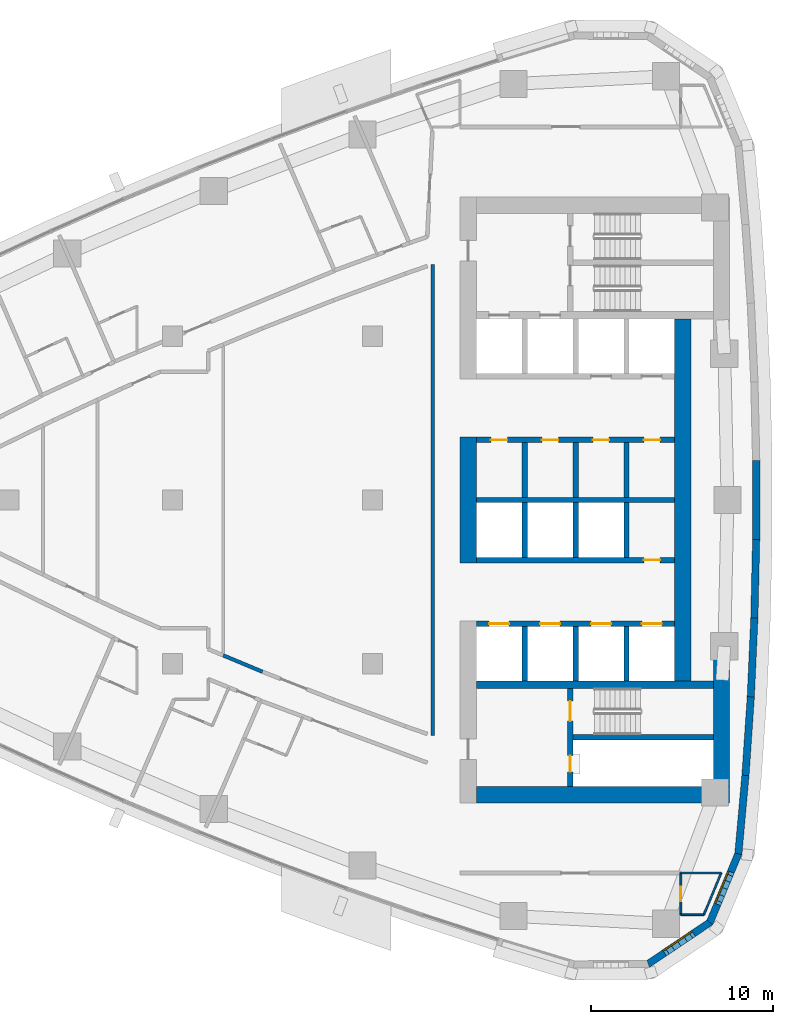
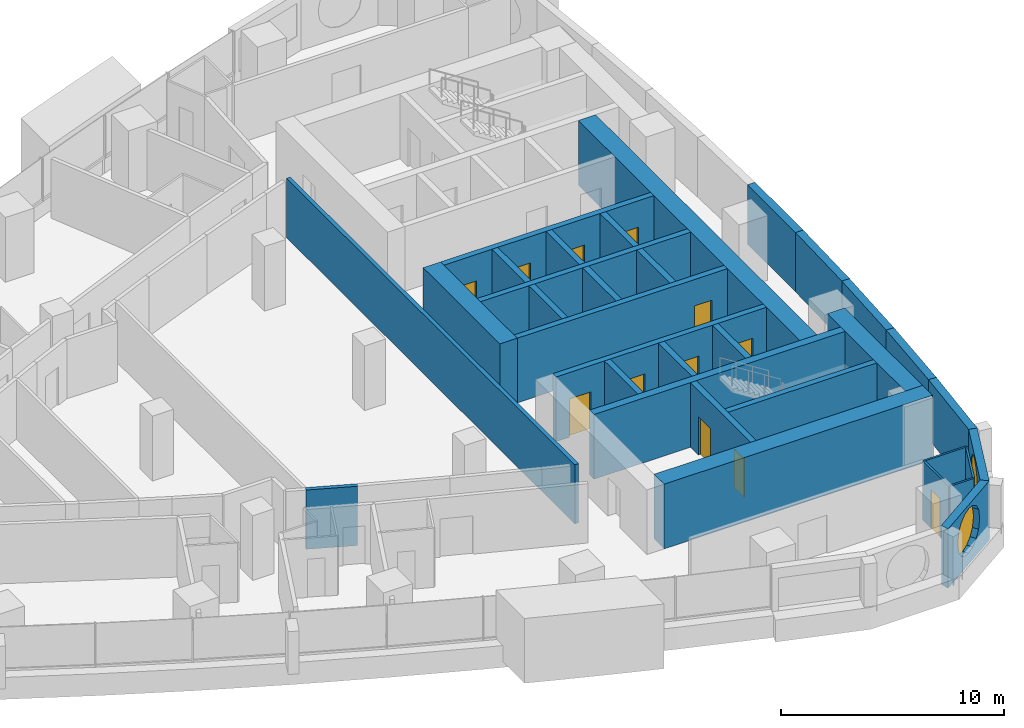
# One storey, part 10 of 16: 33 walls, 12 doors, 2 windows, 14 openings.
"""IFC4 building model written with IfcOpenShell, lengths in metres."""

from ifc_helpers import new_model, si_unit, direction, frame, frame_2d, origin, place, context, subcontext, project, spatial, polyline, rectangle, outline, extrude, material, layer, layer_set, type_object, element, fill, save


model = new_model("IFC4")

# Units and contexts
model_context = context("Model", 3, precision=1e-05, world=origin(), true_north=direction((0.0, 1.0)))
body_context = subcontext(model_context, "Body", "Model", "MODEL_VIEW")
ifc_project = project(units=[si_unit("LENGTHUNIT", "METRE"), si_unit("AREAUNIT", "SQUARE_METRE"), si_unit("VOLUMEUNIT", "CUBIC_METRE"), si_unit("PLANEANGLEUNIT", "RADIAN"), si_unit("MASSUNIT", "GRAM", prefix="KILO")], contexts=[model_context])

# Site, building, storey
site_placement = place(None, origin())
site = spatial("IfcSite", under=ifc_project, at=site_placement, CompositionType="ELEMENT")
building_placement = place(site_placement, origin())
building = spatial("IfcBuilding", under=site, at=building_placement, Name="Ostrand Prow Hotel Tower", CompositionType="ELEMENT")
storey_placement = place(building_placement, frame((0.0, 0.0, 147.949951171875)))
storey = spatial("IfcBuildingStorey", under=building, at=storey_placement, Name="L36", CompositionType="ELEMENT", Elevation=147.949951171875)

# Wall
ifc_material_1 = material(Name="Concrete C70/85", Category="concrete")
ifc_layer_1 = layer(ifc_material_1, 0.300048828125)
ifc_layer_set_1 = layer_set([ifc_layer_1], Name="Concrete C70/85")
wall_type_1 = type_object("IfcWallType", Name="Core wall 300 C70/85", PredefinedType="SHEAR", material=ifc_layer_set_1)
wall_1_placement = place(storey_placement, frame((50.699951171875, 0.0, 0.0), z_axis=(0.0, 0.0, 1.0), x_axis=(1.0, 0.0, 0.0)))
element("IfcWall", 1, at=wall_1_placement, inside=storey, type_object=wall_type_1, Name="Core wall PW-C", PredefinedType="SHEAR", context=body_context, shape_type="SweptSolid", body=[
    extrude(rectangle(XDim=10.900146484375, YDim=0.300048828125, at=frame_2d((5.4501953125, 0.0))), origin(), (0.0, 0.0, 1.0), 3.550048828125),
])

# Wall, openings, doors
wall_2_placement = place(storey_placement, frame((50.699951171875, 3.300048828125, 0.0), z_axis=(0.0, 0.0, 1.0), x_axis=(1.0, 0.0, 0.0)))
wall_2 = element("IfcWall", 2, at=wall_2_placement, inside=storey, type_object=wall_type_1, Name="Core wall PW-L1-N", PredefinedType="SHEAR", context=body_context, shape_type="SweptSolid", body=[
    extrude(rectangle(XDim=10.900146484375, YDim=0.300048828125, at=frame_2d((5.4501953125, 0.0))), origin(), (0.0, 0.0, 1.0), 3.550048828125),
])
opening_1_placement = place(wall_2_placement, frame((0.800048828125, 0.0, 0.0)))
opening_1 = element("IfcOpeningElement", 3, at=opening_1_placement, cuts=wall_2, Name="Opening FD2", PredefinedType="OPENING", context=body_context, shape_type="SweptSolid", body=[
    extrude(rectangle(XDim=0.89990234375, YDim=2.10009765625, at=frame_2d((0.449951171875, 1.050048828125))), frame((0.0, 0.159912109375, 0.0), z_axis=(0.0, -1.0, 0.0), x_axis=(1.0, 0.0, 0.0)), (0.0, 0.0, 1.0), 0.320068359375),
])
opening_2_placement = place(wall_2_placement, frame((3.60009765625, 0.0, 0.0)))
opening_2 = element("IfcOpeningElement", 4, at=opening_2_placement, cuts=wall_2, Name="Opening FD2", PredefinedType="OPENING", context=body_context, shape_type="SweptSolid", body=[
    extrude(rectangle(XDim=0.89990234375, YDim=2.10009765625, at=frame_2d((0.449951171875, 1.050048828125))), frame((0.0, 0.159912109375, 0.0), z_axis=(0.0, -1.0, 0.0), x_axis=(1.0, 0.0, 0.0)), (0.0, 0.0, 1.0), 0.320068359375),
])
opening_3_placement = place(wall_2_placement, frame((6.39990234375, 0.0, 0.0)))
opening_3 = element("IfcOpeningElement", 5, at=opening_3_placement, cuts=wall_2, Name="Opening FD2", PredefinedType="OPENING", context=body_context, shape_type="SweptSolid", body=[
    extrude(rectangle(XDim=0.89990234375, YDim=2.10009765625, at=frame_2d((0.449951171875, 1.050048828125))), frame((0.0, 0.159912109375, 0.0), z_axis=(0.0, -1.0, 0.0), x_axis=(1.0, 0.0, 0.0)), (0.0, 0.0, 1.0), 0.320068359375),
])
opening_4_placement = place(wall_2_placement, frame((9.199951171875, 0.0, 0.0)))
opening_4 = element("IfcOpeningElement", 6, at=opening_4_placement, cuts=wall_2, Name="Opening FD2", PredefinedType="OPENING", context=body_context, shape_type="SweptSolid", body=[
    extrude(rectangle(XDim=0.89990234375, YDim=2.10009765625, at=frame_2d((0.449951171875, 1.050048828125))), frame((0.0, 0.159912109375, 0.0), z_axis=(0.0, -1.0, 0.0), x_axis=(1.0, 0.0, 0.0)), (0.0, 0.0, 1.0), 0.320068359375),
])
ifc_material_2 = material(Name="Steel fire door", Category="steel")
door_type_1 = type_object("IfcDoorType", Name="Fire door 900 EI120", OperationType="SINGLE_SWING_LEFT", PredefinedType="DOOR", material=ifc_material_2)
door_1_placement = place(opening_1_placement, origin())
door_1 = element("IfcDoor", 7, at=door_1_placement, inside=storey, type_object=door_type_1, Name="DOOR", OperationType="SINGLE_SWING_LEFT", OverallHeight=2.10009765625, OverallWidth=0.89990234375, PredefinedType="DOOR", context=body_context, shape_type="SweptSolid", body=[
    extrude(rectangle(XDim=0.89990234375, YDim=2.10009765625, at=frame_2d((0.449951171875, 1.050048828125))), frame((0.0, 0.02490234375, 0.0), z_axis=(0.0, -1.0, 0.0), x_axis=(1.0, 0.0, 0.0)), (0.0, 0.0, 1.0), 0.050048828125),
])
fill(opening_1, door_1)
door_2_placement = place(opening_2_placement, origin())
door_2 = element("IfcDoor", 8, at=door_2_placement, inside=storey, type_object=door_type_1, Name="DOOR", OperationType="SINGLE_SWING_LEFT", OverallHeight=2.10009765625, OverallWidth=0.89990234375, PredefinedType="DOOR", context=body_context, shape_type="SweptSolid", body=[
    extrude(rectangle(XDim=0.89990234375, YDim=2.10009765625, at=frame_2d((0.449951171875, 1.050048828125))), frame((0.0, 0.02490234375, 0.0), z_axis=(0.0, -1.0, 0.0), x_axis=(1.0, 0.0, 0.0)), (0.0, 0.0, 1.0), 0.050048828125),
])
fill(opening_2, door_2)
door_3_placement = place(opening_3_placement, origin())
door_3 = element("IfcDoor", 9, at=door_3_placement, inside=storey, type_object=door_type_1, Name="DOOR", OperationType="SINGLE_SWING_LEFT", OverallHeight=2.10009765625, OverallWidth=0.89990234375, PredefinedType="DOOR", context=body_context, shape_type="SweptSolid", body=[
    extrude(rectangle(XDim=0.89990234375, YDim=2.10009765625, at=frame_2d((0.449951171875, 1.050048828125))), frame((0.0, 0.02490234375, 0.0), z_axis=(0.0, -1.0, 0.0), x_axis=(1.0, 0.0, 0.0)), (0.0, 0.0, 1.0), 0.050048828125),
])
fill(opening_3, door_3)
door_4_placement = place(opening_4_placement, origin())
door_4 = element("IfcDoor", 10, at=door_4_placement, inside=storey, type_object=door_type_1, Name="DOOR", OperationType="SINGLE_SWING_LEFT", OverallHeight=2.10009765625, OverallWidth=0.89990234375, PredefinedType="DOOR", context=body_context, shape_type="SweptSolid", body=[
    extrude(rectangle(XDim=0.89990234375, YDim=2.10009765625, at=frame_2d((0.449951171875, 1.050048828125))), frame((0.0, 0.02490234375, 0.0), z_axis=(0.0, -1.0, 0.0), x_axis=(1.0, 0.0, 0.0)), (0.0, 0.0, 1.0), 0.050048828125),
])
fill(opening_4, door_4)

# Walls
for number, where, z_axis, x_axis, name in (
    (11, (53.35009765625, 0.14990234375, 0.0), (0.0, 0.0, 1.0), (0.0, 1.0, 0.0), "Core wall PW-R1-NB"),
    (12, (56.14990234375, 0.14990234375, 0.0), (0.0, 0.0, 1.0), (0.0, 1.0, 0.0), "Core wall PW-R2-NB"),
    (13, (58.949951171875, 0.14990234375, 0.0), (0.0, 0.0, 1.0), (0.0, 1.0, 0.0), "Core wall PW-R3-NB"),
):
    element("IfcWall", number, at=place(storey_placement, frame(where, z_axis=z_axis, x_axis=x_axis)), inside=storey, type_object=wall_type_1, Name=name, PredefinedType="SHEAR", context=body_context, shape_type="SweptSolid", body=[
        extrude(rectangle(XDim=3.0, YDim=0.300048828125, at=frame_2d((1.5, 0.0))), origin(), (0.0, 0.0, 1.0), 3.550048828125),
    ])

# Wall, opening, door
wall_3_placement = place(storey_placement, frame((50.699951171875, -3.300048828125, 0.0), z_axis=(0.0, 0.0, 1.0), x_axis=(1.0, 0.0, 0.0)))
wall_3 = element("IfcWall", 14, at=wall_3_placement, inside=storey, type_object=wall_type_1, Name="Core wall PW-L1-S", PredefinedType="SHEAR", context=body_context, shape_type="SweptSolid", body=[
    extrude(rectangle(XDim=10.900146484375, YDim=0.300048828125, at=frame_2d((5.4501953125, 0.0))), origin(), (0.0, 0.0, 1.0), 3.550048828125),
])
opening_5_placement = place(wall_3_placement, frame((9.199951171875, 0.0, 0.0)))
opening_5 = element("IfcOpeningElement", 15, at=opening_5_placement, cuts=wall_3, Name="Opening FD2", PredefinedType="OPENING", context=body_context, shape_type="SweptSolid", body=[
    extrude(rectangle(XDim=0.89990234375, YDim=2.10009765625, at=frame_2d((0.449951171875, 1.050048828125))), frame((0.0, 0.159912109375, 0.0), z_axis=(0.0, -1.0, 0.0), x_axis=(1.0, 0.0, 0.0)), (0.0, 0.0, 1.0), 0.320068359375),
])
door_5_placement = place(opening_5_placement, origin())
door_5 = element("IfcDoor", 16, at=door_5_placement, inside=storey, type_object=door_type_1, Name="DOOR", OperationType="SINGLE_SWING_LEFT", OverallHeight=2.10009765625, OverallWidth=0.89990234375, PredefinedType="DOOR", context=body_context, shape_type="SweptSolid", body=[
    extrude(rectangle(XDim=0.89990234375, YDim=2.10009765625, at=frame_2d((0.449951171875, 1.050048828125))), frame((0.0, 0.02490234375, 0.0), z_axis=(0.0, -1.0, 0.0), x_axis=(1.0, 0.0, 0.0)), (0.0, 0.0, 1.0), 0.050048828125),
])
fill(opening_5, door_5)

# Wall, openings, doors
wall_4_placement = place(storey_placement, frame((50.699951171875, -6.800048828125, 0.0), z_axis=(0.0, 0.0, 1.0), x_axis=(1.0, 0.0, 0.0)))
wall_4 = element("IfcWall", 17, at=wall_4_placement, inside=storey, type_object=wall_type_1, Name="Core wall PW-L2-S", PredefinedType="SHEAR", context=body_context, shape_type="SweptSolid", body=[
    extrude(rectangle(XDim=10.900146484375, YDim=0.300048828125, at=frame_2d((5.4501953125, 0.0))), origin(), (0.0, 0.0, 1.0), 3.550048828125),
])
opening_6_placement = place(wall_4_placement, frame((0.699951171875, 0.0, 0.0)))
opening_6 = element("IfcOpeningElement", 18, at=opening_6_placement, cuts=wall_4, Name="Opening LD", PredefinedType="OPENING", context=body_context, shape_type="SweptSolid", body=[
    extrude(rectangle(XDim=1.10009765625, YDim=2.10009765625, at=frame_2d((0.550048828125, 1.050048828125))), frame((0.0, 0.159912109375, 0.0), z_axis=(0.0, -1.0, 0.0), x_axis=(1.0, 0.0, 0.0)), (0.0, 0.0, 1.0), 0.320068359375),
])
opening_7_placement = place(wall_4_placement, frame((3.5, 0.0, 0.0)))
opening_7 = element("IfcOpeningElement", 19, at=opening_7_placement, cuts=wall_4, Name="Opening LD", PredefinedType="OPENING", context=body_context, shape_type="SweptSolid", body=[
    extrude(rectangle(XDim=1.10009765625, YDim=2.10009765625, at=frame_2d((0.550048828125, 1.050048828125))), frame((0.0, 0.159912109375, 0.0), z_axis=(0.0, -1.0, 0.0), x_axis=(1.0, 0.0, 0.0)), (0.0, 0.0, 1.0), 0.320068359375),
])
opening_8_placement = place(wall_4_placement, frame((6.300048828125, 0.0, 0.0)))
opening_8 = element("IfcOpeningElement", 20, at=opening_8_placement, cuts=wall_4, Name="Opening LD", PredefinedType="OPENING", context=body_context, shape_type="SweptSolid", body=[
    extrude(rectangle(XDim=1.10009765625, YDim=2.10009765625, at=frame_2d((0.550048828125, 1.050048828125))), frame((0.0, 0.159912109375, 0.0), z_axis=(0.0, -1.0, 0.0), x_axis=(1.0, 0.0, 0.0)), (0.0, 0.0, 1.0), 0.320068359375),
])
opening_9_placement = place(wall_4_placement, frame((9.10009765625, 0.0, 0.0)))
opening_9 = element("IfcOpeningElement", 21, at=opening_9_placement, cuts=wall_4, Name="Opening LD", PredefinedType="OPENING", context=body_context, shape_type="SweptSolid", body=[
    extrude(rectangle(XDim=1.10009765625, YDim=2.10009765625, at=frame_2d((0.550048828125, 1.050048828125))), frame((0.0, 0.159912109375, 0.0), z_axis=(0.0, -1.0, 0.0), x_axis=(1.0, 0.0, 0.0)), (0.0, 0.0, 1.0), 0.320068359375),
])
ifc_material_3 = material(Name="Stainless steel door", Category="steel")
door_type_2 = type_object("IfcDoorType", Name="Lift landing door 1100", OperationType="DOUBLE_DOOR_SLIDING", PredefinedType="DOOR", material=ifc_material_3)
door_6_placement = place(opening_6_placement, origin())
door_6 = element("IfcDoor", 22, at=door_6_placement, inside=storey, type_object=door_type_2, Name="LIFT LANDING DOOR", OperationType="DOUBLE_DOOR_SLIDING", OverallHeight=2.10009765625, OverallWidth=1.10009765625, PredefinedType="DOOR", context=body_context, shape_type="SweptSolid", body=[
    extrude(rectangle(XDim=1.10009765625, YDim=2.10009765625, at=frame_2d((0.550048828125, 1.050048828125))), frame((0.0, 0.02490234375, 0.0), z_axis=(0.0, -1.0, 0.0), x_axis=(1.0, 0.0, 0.0)), (0.0, 0.0, 1.0), 0.050048828125),
])
fill(opening_6, door_6)
door_7_placement = place(opening_7_placement, origin())
door_7 = element("IfcDoor", 23, at=door_7_placement, inside=storey, type_object=door_type_2, Name="LIFT LANDING DOOR", OperationType="DOUBLE_DOOR_SLIDING", OverallHeight=2.10009765625, OverallWidth=1.10009765625, PredefinedType="DOOR", context=body_context, shape_type="SweptSolid", body=[
    extrude(rectangle(XDim=1.10009765625, YDim=2.10009765625, at=frame_2d((0.550048828125, 1.050048828125))), frame((0.0, 0.02490234375, 0.0), z_axis=(0.0, -1.0, 0.0), x_axis=(1.0, 0.0, 0.0)), (0.0, 0.0, 1.0), 0.050048828125),
])
fill(opening_7, door_7)
door_8_placement = place(opening_8_placement, origin())
door_8 = element("IfcDoor", 24, at=door_8_placement, inside=storey, type_object=door_type_2, Name="LIFT LANDING DOOR", OperationType="DOUBLE_DOOR_SLIDING", OverallHeight=2.10009765625, OverallWidth=1.10009765625, PredefinedType="DOOR", context=body_context, shape_type="SweptSolid", body=[
    extrude(rectangle(XDim=1.10009765625, YDim=2.10009765625, at=frame_2d((0.550048828125, 1.050048828125))), frame((0.0, 0.02490234375, 0.0), z_axis=(0.0, -1.0, 0.0), x_axis=(1.0, 0.0, 0.0)), (0.0, 0.0, 1.0), 0.050048828125),
])
fill(opening_8, door_8)
door_9_placement = place(opening_9_placement, origin())
door_9 = element("IfcDoor", 25, at=door_9_placement, inside=storey, type_object=door_type_2, Name="LIFT LANDING DOOR", OperationType="DOUBLE_DOOR_SLIDING", OverallHeight=2.10009765625, OverallWidth=1.10009765625, PredefinedType="DOOR", context=body_context, shape_type="SweptSolid", body=[
    extrude(rectangle(XDim=1.10009765625, YDim=2.10009765625, at=frame_2d((0.550048828125, 1.050048828125))), frame((0.0, 0.02490234375, 0.0), z_axis=(0.0, -1.0, 0.0), x_axis=(1.0, 0.0, 0.0)), (0.0, 0.0, 1.0), 0.050048828125),
])
fill(opening_9, door_9)

# Walls
for number, where, z_axis, x_axis, name in (
    (26, (53.35009765625, -3.14990234375, 0.0), (0.0, 0.0, 1.0), (0.0, 1.0, 0.0), "Core wall PW-R1-SB"),
    (27, (53.35009765625, -9.949951171875, 0.0), (0.0, 0.0, 1.0), (0.0, 1.0, 0.0), "Core wall PW-R1-SA"),
    (28, (56.14990234375, -3.14990234375, 0.0), (0.0, 0.0, 1.0), (0.0, 1.0, 0.0), "Core wall PW-R2-SB"),
    (29, (56.14990234375, -9.949951171875, 0.0), (0.0, 0.0, 1.0), (0.0, 1.0, 0.0), "Core wall PW-R2-SA"),
    (30, (58.949951171875, -3.14990234375, 0.0), (0.0, 0.0, 1.0), (0.0, 1.0, 0.0), "Core wall PW-R3-SB"),
    (31, (58.949951171875, -9.949951171875, 0.0), (0.0, 0.0, 1.0), (0.0, 1.0, 0.0), "Core wall PW-R3-SA"),
):
    element("IfcWall", number, at=place(storey_placement, frame(where, z_axis=z_axis, x_axis=x_axis)), inside=storey, type_object=wall_type_1, Name=name, PredefinedType="SHEAR", context=body_context, shape_type="SweptSolid", body=[
        extrude(rectangle(XDim=3.0, YDim=0.300048828125, at=frame_2d((1.5, 0.0))), origin(), (0.0, 0.0, 1.0), 3.550048828125),
    ])

# Wall, openings, doors
wall_5_placement = place(storey_placement, frame((55.85009765625, -15.75, 0.0), z_axis=(0.0, 0.0, 1.0), x_axis=(0.0, 1.0, 0.0)))
wall_5 = element("IfcWall", 32, at=wall_5_placement, inside=storey, type_object=wall_type_1, Name="Core wall PW-VS", PredefinedType="SHEAR", context=body_context, shape_type="SweptSolid", body=[
    extrude(rectangle(XDim=5.39990234375, YDim=0.300048828125, at=frame_2d((2.699951171875, 0.0))), origin(), (0.0, 0.0, 1.0), 3.550048828125),
])
opening_10_placement = place(wall_5_placement, frame((3.60009765625, 0.0, 0.0)))
opening_10 = element("IfcOpeningElement", 33, at=opening_10_placement, cuts=wall_5, Name="Opening FD1", PredefinedType="OPENING", context=body_context, shape_type="SweptSolid", body=[
    extrude(rectangle(XDim=1.10009765625, YDim=2.10009765625, at=frame_2d((0.550048828125, 1.050048828125))), frame((0.0, 0.159912109375, 0.0), z_axis=(0.0, -1.0, 0.0), x_axis=(1.0, 0.0, 0.0)), (0.0, 0.0, 1.0), 0.320068359375),
])
opening_11_placement = place(wall_5_placement, frame((0.800048828125, 0.0, 0.0)))
opening_11 = element("IfcOpeningElement", 34, at=opening_11_placement, cuts=wall_5, Name="Opening FD2", PredefinedType="OPENING", context=body_context, shape_type="SweptSolid", body=[
    extrude(rectangle(XDim=0.89990234375, YDim=2.10009765625, at=frame_2d((0.449951171875, 1.050048828125))), frame((0.0, 0.159912109375, 0.0), z_axis=(0.0, -1.0, 0.0), x_axis=(1.0, 0.0, 0.0)), (0.0, 0.0, 1.0), 0.320068359375),
])
ifc_material_4 = material(Name="Steel fire door", Category="steel")
door_type_3 = type_object("IfcDoorType", Name="Fire door 1100 EI120", OperationType="SINGLE_SWING_RIGHT", PredefinedType="DOOR", material=ifc_material_4)
door_10_placement = place(opening_10_placement, origin())
door_10 = element("IfcDoor", 35, at=door_10_placement, inside=storey, type_object=door_type_3, Name="FIRE DOOR", OperationType="SINGLE_SWING_RIGHT", OverallHeight=2.10009765625, OverallWidth=1.10009765625, PredefinedType="DOOR", context=body_context, shape_type="SweptSolid", body=[
    extrude(rectangle(XDim=1.10009765625, YDim=2.10009765625, at=frame_2d((0.550048828125, 1.050048828125))), frame((0.0, 0.02490234375, 0.0), z_axis=(0.0, -1.0, 0.0), x_axis=(1.0, 0.0, 0.0)), (0.0, 0.0, 1.0), 0.050048828125),
])
fill(opening_10, door_10)
door_11_placement = place(opening_11_placement, origin())
door_11 = element("IfcDoor", 36, at=door_11_placement, inside=storey, type_object=door_type_1, Name="FIRE DOOR", OperationType="SINGLE_SWING_LEFT", OverallHeight=2.10009765625, OverallWidth=0.89990234375, PredefinedType="DOOR", context=body_context, shape_type="SweptSolid", body=[
    extrude(rectangle(XDim=0.89990234375, YDim=2.10009765625, at=frame_2d((0.449951171875, 1.050048828125))), frame((0.0, 0.02490234375, 0.0), z_axis=(0.0, -1.0, 0.0), x_axis=(1.0, 0.0, 0.0)), (0.0, 0.0, 1.0), 0.050048828125),
])
fill(opening_11, door_11)

# Walls
wall_6_placement = place(storey_placement, frame((56.0, -13.050048828125, 0.0), z_axis=(0.0, 0.0, 1.0), x_axis=(1.0, 0.0, 0.0)))
element("IfcWall", 37, at=wall_6_placement, inside=storey, type_object=wall_type_1, Name="Core wall PW-ST2R", PredefinedType="SHEAR", context=body_context, shape_type="SweptSolid", body=[
    extrude(rectangle(XDim=7.719970703125, YDim=0.300048828125, at=frame_2d((3.85986328125, 0.0))), origin(), (0.0, 0.0, 1.0), 3.550048828125),
])
ifc_material_5 = material(Name="Concrete C70/85", Category="concrete")
ifc_layer_2 = layer(ifc_material_5, 0.39990234375)
ifc_layer_set_2 = layer_set([ifc_layer_2], Name="Concrete C70/85")
wall_type_2 = type_object("IfcWallType", Name="Core wall 400 C70/85", PredefinedType="SHEAR", material=ifc_layer_set_2)
wall_7_placement = place(storey_placement, frame((50.699951171875, -10.14990234375, 0.0), z_axis=(0.0, 0.0, 1.0), x_axis=(1.0, 0.0, 0.0)))
element("IfcWall", 38, at=wall_7_placement, inside=storey, type_object=wall_type_2, Name="Core wall PW-BS", PredefinedType="SHEAR", context=body_context, shape_type="SweptSolid", body=[
    extrude(rectangle(XDim=13.02001953125, YDim=0.39990234375, at=frame_2d((6.510009765625, 0.0))), origin(), (0.0, 0.0, 1.0), 3.550048828125),
])
ifc_material_6 = material(Name="Concrete C70/85", Category="concrete")
ifc_layer_3 = layer(ifc_material_6, 0.89990234375)
ifc_layer_set_3 = layer_set([ifc_layer_3], Name="Concrete C70/85")
wall_type_3 = type_object("IfcWallType", Name="Core wall 900 C70/85", PredefinedType="SHEAR", material=ifc_layer_set_3)
wall_8_placement = place(storey_placement, frame((50.25, -3.449951171875, 0.0), z_axis=(0.0, 0.0, 1.0), x_axis=(0.0, 1.0, 0.0)))
element("IfcWall", 39, at=wall_8_placement, inside=storey, type_object=wall_type_3, Name="Core wall CW-W-C", PredefinedType="SHEAR", context=body_context, shape_type="SweptSolid", body=[
    extrude(rectangle(XDim=6.89990234375, YDim=0.89990234375, at=frame_2d((3.449951171875, 0.0))), origin(), (0.0, 0.0, 1.0), 3.550048828125),
])
wall_9_placement = place(storey_placement, frame((50.699951171875, -16.199951171875, 0.0), z_axis=(0.0, 0.0, 1.0), x_axis=(1.0, 0.0, 0.0)))
element("IfcWall", 40, at=wall_9_placement, inside=storey, type_object=wall_type_3, Name="Core wall CW-S", PredefinedType="SHEAR", context=body_context, shape_type="SweptSolid", body=[
    extrude(rectangle(XDim=13.920166015625, YDim=0.89990234375, at=frame_2d((6.9599609375, 0.0))), origin(), (0.0, 0.0, 1.0), 3.550048828125),
])
wall_10_placement = place(storey_placement, frame((64.169921875, -15.75, 0.0), z_axis=(0.0, 0.0, 1.0), x_axis=(0.0, 1.0, 0.0)))
element("IfcWall", 41, at=wall_10_placement, inside=storey, type_object=wall_type_3, Name="Core wall CW-E-S", PredefinedType="SHEAR", context=body_context, shape_type="SweptSolid", body=[
    extrude(rectangle(XDim=7.00537109375, YDim=0.89990234375, at=frame_2d((3.502685546875, 0.0))), origin(), (0.0, 0.0, 1.0), 3.550048828125),
])
wall_11_placement = place(storey_placement, frame((62.050048828125, -9.949951171875, 0.0), z_axis=(0.0, 0.0, 1.0), x_axis=(0.0, 1.0, 0.0)))
element("IfcWall", 42, at=wall_11_placement, inside=storey, type_object=wall_type_3, Name="Core wall CW-E-C", PredefinedType="SHEAR", context=body_context, shape_type="SweptSolid", body=[
    extrude(rectangle(XDim=19.89990234375, YDim=0.89990234375, at=frame_2d((9.949951171875, 0.0))), origin(), (0.0, 0.0, 1.0), 3.550048828125),
])

# Wall, opening, door
ifc_material_7 = material(Name="Plasterboard partition")
ifc_layer_4 = layer(ifc_material_7, 0.10009765625)
ifc_layer_set_4 = layer_set([ifc_layer_4], Name="Plasterboard partition")
wall_type_4 = type_object("IfcWallType", Name="Partition 100 bathroom wall", PredefinedType="PARTITIONING", material=ifc_layer_set_4)
wall_12_placement = place(storey_placement, frame((61.9375, -22.800048828125, 0.0), z_axis=(0.0, 0.0, 1.0), x_axis=(0.0, 1.0, 0.0)))
wall_12 = element("IfcWall", 43, at=wall_12_placement, inside=storey, type_object=wall_type_4, Name="BATHROOM WALL", PredefinedType="PARTITIONING", context=body_context, shape_type="SweptSolid", body=[
    extrude(rectangle(XDim=2.300048828125, YDim=0.10009765625, at=frame_2d((1.14990234375, 0.0))), origin(), (0.0, 0.0, 1.0), 3.25),
])
opening_12_placement = place(wall_12_placement, frame((0.75, 0.0, 0.0)))
opening_12 = element("IfcOpeningElement", 44, at=opening_12_placement, cuts=wall_12, Name="Opening D2", PredefinedType="OPENING", context=body_context, shape_type="SweptSolid", body=[
    extrude(rectangle(XDim=0.800048828125, YDim=2.10009765625, at=frame_2d((0.39990234375, 1.050048828125))), frame((0.0, 0.06005859375, 0.0), z_axis=(0.0, -1.0, 0.0), x_axis=(1.0, 0.0, 0.0)), (0.0, 0.0, 1.0), 0.1201171875),
])
ifc_material_8 = material(Name="Timber door leaf", Category="wood")
door_type_4 = type_object("IfcDoorType", Name="Bathroom door 800", OperationType="SINGLE_SWING_LEFT", PredefinedType="DOOR", material=ifc_material_8)
door_12_placement = place(opening_12_placement, origin())
door_12 = element("IfcDoor", 45, at=door_12_placement, inside=storey, type_object=door_type_4, Name="DOOR", OperationType="SINGLE_SWING_LEFT", OverallHeight=2.10009765625, OverallWidth=0.800048828125, PredefinedType="DOOR", context=body_context, shape_type="SweptSolid", body=[
    extrude(rectangle(XDim=0.800048828125, YDim=2.10009765625, at=frame_2d((0.39990234375, 1.050048828125))), frame((0.0, 0.02490234375, 0.0), z_axis=(0.0, -1.0, 0.0), x_axis=(1.0, 0.0, 0.0)), (0.0, 0.0, 1.0), 0.050048828125),
])
fill(opening_12, door_12)

# Walls
wall_13_placement = place(storey_placement, frame((63.1982421875, -22.800048828125, 0.0), z_axis=(0.0, 0.0, 1.0), x_axis=(-1.0, 0.0, 0.0)))
element("IfcWall", 46, at=wall_13_placement, inside=storey, type_object=wall_type_4, Name="BATHROOM WALL", PredefinedType="PARTITIONING", context=body_context, shape_type="SweptSolid", body=[
    extrude(rectangle(XDim=1.2607421875, YDim=0.10009765625, at=frame_2d((0.63037109375, 0.0))), origin(), (0.0, 0.0, 1.0), 3.25),
])
wall_14_placement = place(storey_placement, frame((61.9375, -20.5048828125, 0.0), z_axis=(0.0, 0.0, 1.0), x_axis=(1.0, 0.0, 0.0)))
element("IfcWall", 47, at=wall_14_placement, inside=storey, type_object=wall_type_4, Name="BATHROOM WALL", PredefinedType="PARTITIONING", context=body_context, shape_type="SweptSolid", body=[
    extrude(rectangle(XDim=2.21484375, YDim=0.10009765625, at=frame_2d((1.107421875, 0.0))), origin(), (0.0, 0.0, 1.0), 3.25),
])
wall_15_placement = place(storey_placement, frame((64.15234375, -20.5048828125, 0.0), z_axis=(0.0, 0.0, 1.0), x_axis=(-0.383855043906, -0.923393364319, 0.0)))
element("IfcWall", 48, at=wall_15_placement, inside=storey, type_object=wall_type_4, Name="BATHROOM WALL", PredefinedType="PARTITIONING", context=body_context, shape_type="SweptSolid", body=[
    extrude(rectangle(XDim=2.485595703125, YDim=0.10009765625, at=frame_2d((1.24267578125, 0.0))), origin(), (0.0, 0.0, 1.0), 3.25),
])
ifc_material_9 = material(Name="Plasterboard partition")
ifc_layer_5 = layer(ifc_material_9, 0.199951171875)
ifc_layer_set_5 = layer_set([ifc_layer_5], Name="Plasterboard partition")
wall_type_5 = type_object("IfcWallType", Name="Partition 200 corridor wall", PredefinedType="PARTITIONING", material=ifc_layer_set_5)
wall_16_placement = place(storey_placement, frame((38.943115234375, -9.44091796875, 0.0), z_axis=(0.0, 0.0, 1.0), x_axis=(-0.923008963065, 0.384778448073, 0.0)))
element("IfcWall", 49, at=wall_16_placement, inside=storey, type_object=wall_type_5, Name="CORRIDOR WALL", PredefinedType="PARTITIONING", context=body_context, shape_type="SweptSolid", body=[
    extrude(rectangle(XDim=2.3388671875, YDim=0.199951171875, at=frame_2d((1.16943359375, 0.0))), origin(), (0.0, 0.0, 1.0), 3.25),
])
wall_17_placement = place(storey_placement, frame((48.294921875, 12.955078125, 0.0), z_axis=(0.0, 0.0, 1.0), x_axis=(0.0, -1.0, 0.0)))
element("IfcWall", 50, at=wall_17_placement, inside=storey, type_object=wall_type_5, Name="CORRIDOR WALL", PredefinedType="PARTITIONING", context=body_context, shape_type="SweptSolid", body=[
    extrude(rectangle(XDim=25.91015625, YDim=0.199951171875, at=frame_2d((12.955078125, 0.0))), origin(), (0.0, 0.0, 1.0), 3.25),
])

# Wall, opening, window
ifc_material_10 = material(Name="Precast concrete C40/50", Category="concrete")
ifc_layer_6 = layer(ifc_material_10, 0.39990234375)
ifc_layer_set_6 = layer_set([ifc_layer_6], Name="Precast concrete C40/50")
wall_type_6 = type_object("IfcWallType", Name="Stone-faced precast wall 400 mm", PredefinedType="NOTDEFINED", material=ifc_layer_set_6)
wall_18_placement = place(storey_placement, frame((60.14208984375, -25.49853515625, 0.0), z_axis=(0.0, 0.0, 1.0), x_axis=(0.829642062482, 0.558295663749, 0.0)))
wall_18 = element("IfcWall", 51, at=wall_18_placement, inside=storey, type_object=wall_type_6, Name="Stone-faced wall back 3", PredefinedType="NOTDEFINED", context=body_context, shape_type="SweptSolid", body=[
    extrude(outline(polyline([(-0.060302734375, -0.199951171875), (4.144287109375, -0.199951171875), (4.023681640625, 0.199951171875), (0.060302734375, 0.199951171875), (-0.060302734375, -0.199951171875)])), origin(), (0.0, 0.0, 1.0), 3.25),
])
opening_13_placement = place(wall_18_placement, frame((0.94189453125, 0.0, 0.60009765625)))
opening_13 = element("IfcOpeningElement", 52, at=opening_13_placement, cuts=wall_18, Name="Opening WP1", PredefinedType="OPENING", context=body_context, shape_type="SweptSolid", body=[
    extrude(outline(polyline([(0.0, 1.35009765625), (0.083740234375, 1.77099609375), (0.322265625, 2.127685546875), (0.678955078125, 2.3662109375), (1.10009765625, 2.449951171875), (1.52099609375, 2.3662109375), (1.877685546875, 2.127685546875), (2.1162109375, 1.77099609375), (2.199951171875, 1.35009765625), (2.199951171875, 1.10009765625), (2.1162109375, 0.678955078125), (1.877685546875, 0.322265625), (1.52099609375, 0.083740234375), (1.10009765625, 0.0), (0.678955078125, 0.083740234375), (0.322265625, 0.322265625), (0.083740234375, 0.678955078125), (0.0, 1.099853515625), (0.0, 1.35009765625)])), frame((0.0, 0.2099609375, 0.0), z_axis=(0.0, -1.0, 0.0), x_axis=(1.0, 0.0, 0.0)), (0.0, 0.0, 1.0), 0.419921875),
])
ifc_material_11 = material(Name="Insulated glass in bronze frame", Category="glass")
window_type = type_object("IfcWindowType", Name="Round-ended prow window 2200x2450", PartitioningType="SINGLE_PANEL", PredefinedType="WINDOW", material=ifc_material_11)
window_1_placement = place(opening_13_placement, origin())
window_1 = element("IfcWindow", 53, at=window_1_placement, inside=storey, type_object=window_type, Name="Window back 3.1", OverallHeight=2.449951171875, OverallWidth=2.199951171875, PartitioningType="SINGLE_PANEL", PredefinedType="WINDOW", context=body_context, shape_type="SweptSolid", body=[
    extrude(outline(polyline([(0.0, 1.35009765625), (0.083740234375, 1.77099609375), (0.322265625, 2.127685546875), (0.678955078125, 2.3662109375), (1.10009765625, 2.449951171875), (1.52099609375, 2.3662109375), (1.877685546875, 2.127685546875), (2.1162109375, 1.77099609375), (2.199951171875, 1.35009765625), (2.199951171875, 1.10009765625), (2.1162109375, 0.678955078125), (1.877685546875, 0.322265625), (1.52099609375, 0.083740234375), (1.10009765625, 0.0), (0.678955078125, 0.083740234375), (0.322265625, 0.322265625), (0.083740234375, 0.678955078125), (0.0, 1.099853515625), (0.0, 1.35009765625)])), frame((0.0, 0.169921875, 0.0), z_axis=(0.0, -1.0, 0.0), x_axis=(1.0, 0.0, 0.0)), (0.0, 0.0, 1.0), 0.06005859375),
])
fill(opening_13, window_1)

wall_19_placement = place(storey_placement, frame((63.5302734375, -23.218505859375, 0.0), z_axis=(0.0, 0.0, 1.0), x_axis=(0.383817293519, 0.923409056267, 0.0)))
wall_19 = element("IfcWall", 54, at=wall_19_placement, inside=storey, type_object=wall_type_6, Name="Stone-faced wall back 4", PredefinedType="NOTDEFINED", context=body_context, shape_type="SweptSolid", body=[
    extrude(outline(polyline([(-0.060302734375, -0.199951171875), (4.11474609375, -0.199951171875), (4.0537109375, 0.199951171875), (0.060302734375, 0.199951171875), (-0.060302734375, -0.199951171875)])), origin(), (0.0, 0.0, 1.0), 3.25),
])
opening_14_placement = place(wall_19_placement, frame((0.94189453125, 0.0, 0.60009765625)))
opening_14 = element("IfcOpeningElement", 55, at=opening_14_placement, cuts=wall_19, Name="Opening WP1", PredefinedType="OPENING", context=body_context, shape_type="SweptSolid", body=[
    extrude(outline(polyline([(0.0, 1.35009765625), (0.083740234375, 1.77099609375), (0.322265625, 2.127685546875), (0.678955078125, 2.3662109375), (1.10009765625, 2.449951171875), (1.52099609375, 2.3662109375), (1.877685546875, 2.127685546875), (2.1162109375, 1.77099609375), (2.199951171875, 1.35009765625), (2.199951171875, 1.10009765625), (2.1162109375, 0.678955078125), (1.877685546875, 0.322265625), (1.52099609375, 0.083740234375), (1.10009765625, 0.0), (0.678955078125, 0.083740234375), (0.322265625, 0.322265625), (0.083740234375, 0.678955078125), (0.0, 1.099853515625), (0.0, 1.35009765625)])), frame((0.0, 0.2099609375, 0.0), z_axis=(0.0, -1.0, 0.0), x_axis=(1.0, 0.0, 0.0)), (0.0, 0.0, 1.0), 0.419921875),
])
window_2_placement = place(opening_14_placement, origin())
window_2 = element("IfcWindow", 56, at=window_2_placement, inside=storey, type_object=window_type, Name="Window back 4.1", OverallHeight=2.449951171875, OverallWidth=2.199951171875, PartitioningType="SINGLE_PANEL", PredefinedType="WINDOW", context=body_context, shape_type="SweptSolid", body=[
    extrude(outline(polyline([(0.0, 1.35009765625), (0.083740234375, 1.77099609375), (0.322265625, 2.127685546875), (0.678955078125, 2.3662109375), (1.10009765625, 2.449951171875), (1.52099609375, 2.3662109375), (1.877685546875, 2.127685546875), (2.1162109375, 1.77099609375), (2.199951171875, 1.35009765625), (2.199951171875, 1.10009765625), (2.1162109375, 0.678955078125), (1.877685546875, 0.322265625), (1.52099609375, 0.083740234375), (1.10009765625, 0.0), (0.678955078125, 0.083740234375), (0.322265625, 0.322265625), (0.083740234375, 0.678955078125), (0.0, 1.099853515625), (0.0, 1.35009765625)])), frame((0.0, 0.169921875, 0.0), z_axis=(0.0, -1.0, 0.0), x_axis=(1.0, 0.0, 0.0)), (0.0, 0.0, 1.0), 0.06005859375),
])
fill(opening_14, window_2)

# Walls
wall_20_placement = place(storey_placement, frame((65.097900390625, -19.447021484375, 0.0), z_axis=(0.0, 0.0, 1.0), x_axis=(0.090296735989, 0.995914905737, 0.0)))
element("IfcWall", 57, at=wall_20_placement, inside=storey, type_object=wall_type_6, Name="Stone-faced wall back 5", PredefinedType="NOTDEFINED", context=body_context, shape_type="SweptSolid", body=[
    extrude(outline(polyline([(-0.030517578125, -0.199951171875), (4.330810546875, -0.199951171875), (4.326416015625, 0.199951171875), (0.030517578125, 0.199951171875), (-0.030517578125, -0.199951171875)])), origin(), (0.0, 0.0, 1.0), 3.25),
])
for number, where, z_axis, x_axis, name in (
    (58, (65.48876953125, -15.135986328125, 0.0), (0.0, 0.0, 1.0), (0.067731727279, 0.997703569764, 0.0), "Stone-faced wall back 6"),
    (59, (65.781982421875, -10.81689453125, 0.0), (0.0, 0.0, 1.0), (0.045228592312, 0.99897666361, 0.0), "Stone-faced wall back 7"),
):
    element("IfcWall", number, at=place(storey_placement, frame(where, z_axis=z_axis, x_axis=x_axis)), inside=storey, type_object=wall_type_6, Name=name, PredefinedType="NOTDEFINED", context=body_context, shape_type="SweptSolid", body=[
        extrude(outline(polyline([(-0.002197265625, -0.199951171875), (4.331298828125, -0.199951171875), (4.326904296875, 0.199951171875), (0.002197265625, 0.199951171875), (-0.002197265625, -0.199951171875)])), origin(), (0.0, 0.0, 1.0), 3.25),
    ])
wall_21_placement = place(storey_placement, frame((65.977783203125, -6.4921875, 0.0), z_axis=(0.0, 0.0, 1.0), x_axis=(0.02261635063, 0.99974421763, 0.0)))
element("IfcWall", 60, at=wall_21_placement, inside=storey, type_object=wall_type_6, Name="Stone-faced wall back 8", PredefinedType="NOTDEFINED", context=body_context, shape_type="SweptSolid", body=[
    extrude(outline(polyline([(-0.002197265625, -0.199951171875), (4.3310546875, -0.199951171875), (4.32666015625, 0.199951171875), (0.002197265625, 0.199951171875), (-0.002197265625, -0.199951171875)])), origin(), (0.0, 0.0, 1.0), 3.25),
])
wall_22_placement = place(storey_placement, frame((66.07568359375, -2.16455078125, 0.0), z_axis=(0.0, 0.0, 1.0), x_axis=(0.0, 1.0, 0.0)))
element("IfcWall", 61, at=wall_22_placement, inside=storey, type_object=wall_type_6, Name="Stone-faced wall back 9", PredefinedType="NOTDEFINED", context=body_context, shape_type="SweptSolid", body=[
    extrude(outline(polyline([(-0.002197265625, -0.199951171875), (4.331298828125, -0.199951171875), (4.326904296875, 0.199951171875), (0.002197265625, 0.199951171875), (-0.002197265625, -0.199951171875)])), origin(), (0.0, 0.0, 1.0), 3.25),
])

save(model, "model.ifc")
